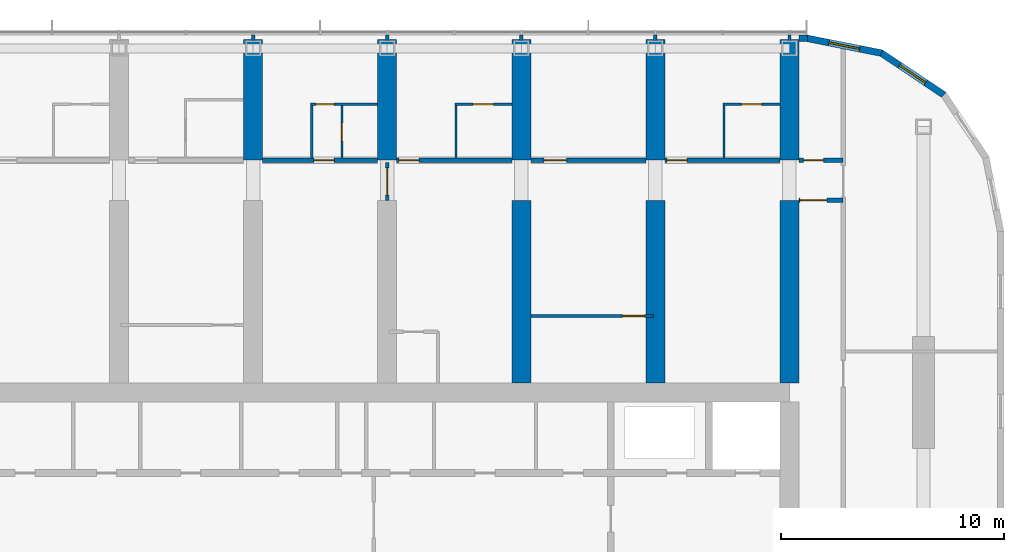
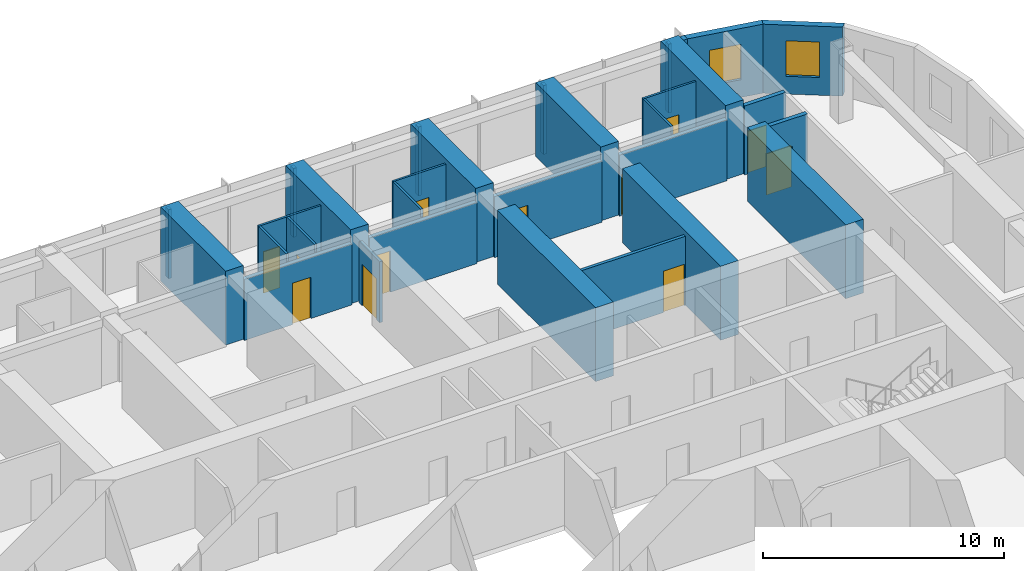
# One storey, part 16 of 22: 31 walls, 12 doors, 2 windows, 14 openings.
"""IFC4 building model written with IfcOpenShell, lengths in metres."""

from ifc_helpers import new_model, si_unit, direction, frame, frame_2d, origin, place, context, subcontext, project, spatial, polyline, rectangle, outline, extrude, material, layer, layer_set, type_object, element, fill, save


model = new_model("IFC4")

# Units and contexts
model_context = context("Model", 3, precision=1e-05, world=origin(), true_north=direction((0.0, 1.0)))
body_context = subcontext(model_context, "Body", "Model", "MODEL_VIEW")
ifc_project = project(units=[si_unit("LENGTHUNIT", "METRE"), si_unit("AREAUNIT", "SQUARE_METRE"), si_unit("VOLUMEUNIT", "CUBIC_METRE"), si_unit("PLANEANGLEUNIT", "RADIAN"), si_unit("MASSUNIT", "GRAM", prefix="KILO")], contexts=[model_context])

# Site, building, storey
site_placement = place(None, origin())
site = spatial("IfcSite", under=ifc_project, at=site_placement, CompositionType="ELEMENT")
building_placement = place(site_placement, origin())
building = spatial("IfcBuilding", under=site, at=building_placement, Name="Orbita Commons", CompositionType="ELEMENT")
storey_placement = place(building_placement, frame((0.0, 0.0, 152.35009765625)))
storey = spatial("IfcBuildingStorey", under=building, at=storey_placement, Name="L37", CompositionType="ELEMENT", Elevation=152.35009765625)

# Wall, opening, door
ifc_material_1 = material(Name="Concrete blockwork", Category="masonry")
ifc_layer_1 = layer(ifc_material_1, 0.199951171875)
ifc_layer_set_1 = layer_set([ifc_layer_1], Name="Concrete blockwork")
wall_type_1 = type_object("IfcWallType", Name="Corridor wall 200 blockwork", PredefinedType="SOLIDWALL", material=ifc_layer_set_1)
wall_1_placement = place(storey_placement, frame((42.425048828125, 48.60009765625, 0.0), z_axis=(0.0, 0.0, 1.0), x_axis=(1.0, 0.0, 0.0)))
wall_1 = element("IfcWall", 1, at=wall_1_placement, inside=storey, type_object=wall_type_1, Name="Corridor wall 200 blockwork L37", PredefinedType="SOLIDWALL", context=body_context, shape_type="SweptSolid", body=[
    extrude(outline(polyline([(0.0, 0.0), (5.14990234375, 0.0), (5.14990234375, 3.099853515625), (0.0, 3.099853515625), (0.0, 0.0)])), frame((0.0, 0.10009765625, 0.0), z_axis=(0.0, -1.0, 0.0), x_axis=(1.0, 0.0, 0.0)), (0.0, 0.0, 1.0), 0.199951171875),
])
opening_1_placement = place(wall_1_placement, frame((2.300048828125, 0.0, 0.0)))
opening_1 = element("IfcOpeningElement", 2, at=opening_1_placement, cuts=wall_1, Name="Opening D11", PredefinedType="OPENING", context=body_context, shape_type="SweptSolid", body=[
    extrude(rectangle(XDim=0.89990234375, YDim=2.10009765625, at=frame_2d((0.449951171875, 1.050048828125))), frame((0.0, 0.10986328125, 0.0), z_axis=(0.0, -1.0, 0.0), x_axis=(1.0, 0.0, 0.0)), (0.0, 0.0, 1.0), 0.219970703125),
])
ifc_material_2 = material(Name="Steel-faced fire door leaf", Category="steel")
door_type_1 = type_object("IfcDoorType", Name="Corridor door 20 min 900x2100", OperationType="SINGLE_SWING_LEFT", PredefinedType="DOOR", material=ifc_material_2)
door_1_placement = place(opening_1_placement, origin())
door_1 = element("IfcDoor", 3, at=door_1_placement, inside=storey, type_object=door_type_1, Name="Studio flat L37-N08 entrance door", OperationType="SINGLE_SWING_LEFT", OverallHeight=2.10009765625, OverallWidth=0.89990234375, PredefinedType="DOOR", context=body_context, shape_type="SweptSolid", body=[
    extrude(rectangle(XDim=0.89990234375, YDim=2.10009765625, at=frame_2d((0.449951171875, 1.050048828125))), frame((0.0, 0.02490234375, 0.0), z_axis=(0.0, -1.0, 0.0), x_axis=(1.0, 0.0, 0.0)), (0.0, 0.0, 1.0), 0.050048828125),
])
fill(opening_1, door_1)

wall_2_placement = place(storey_placement, frame((48.425048828125, 48.60009765625, 0.0), z_axis=(0.0, 0.0, 1.0), x_axis=(1.0, 0.0, 0.0)))
wall_2 = element("IfcWall", 4, at=wall_2_placement, inside=storey, type_object=wall_type_1, Name="Corridor wall 200 blockwork L37", PredefinedType="SOLIDWALL", context=body_context, shape_type="SweptSolid", body=[
    extrude(outline(polyline([(0.0, 0.0), (5.14990234375, 0.0), (5.14990234375, 3.099853515625), (0.0, 3.099853515625), (0.0, 0.0)])), frame((0.0, 0.10009765625, 0.0), z_axis=(0.0, -1.0, 0.0), x_axis=(1.0, 0.0, 0.0)), (0.0, 0.0, 1.0), 0.199951171875),
])
opening_2_placement = place(wall_2_placement, frame((0.10009765625, 0.0, 0.0)))
opening_2 = element("IfcOpeningElement", 5, at=opening_2_placement, cuts=wall_2, Name="Opening D11", PredefinedType="OPENING", context=body_context, shape_type="SweptSolid", body=[
    extrude(rectangle(XDim=0.89990234375, YDim=2.10009765625, at=frame_2d((0.449951171875, 1.050048828125))), frame((0.0, 0.10986328125, 0.0), z_axis=(0.0, -1.0, 0.0), x_axis=(1.0, 0.0, 0.0)), (0.0, 0.0, 1.0), 0.219970703125),
])
door_2_placement = place(opening_2_placement, origin())
door_2 = element("IfcDoor", 6, at=door_2_placement, inside=storey, type_object=door_type_1, Name="Twin room L37-N10 door", OperationType="SINGLE_SWING_LEFT", OverallHeight=2.10009765625, OverallWidth=0.89990234375, PredefinedType="DOOR", context=body_context, shape_type="SweptSolid", body=[
    extrude(rectangle(XDim=0.89990234375, YDim=2.10009765625, at=frame_2d((0.449951171875, 1.050048828125))), frame((0.0, 0.02490234375, 0.0), z_axis=(0.0, -1.0, 0.0), x_axis=(1.0, 0.0, 0.0)), (0.0, 0.0, 1.0), 0.050048828125),
])
fill(opening_2, door_2)

wall_3_placement = place(storey_placement, frame((54.425048828125, 48.60009765625, 0.0), z_axis=(0.0, 0.0, 1.0), x_axis=(1.0, 0.0, 0.0)))
wall_3 = element("IfcWall", 7, at=wall_3_placement, inside=storey, type_object=wall_type_1, Name="Corridor wall 200 blockwork L37", PredefinedType="SOLIDWALL", context=body_context, shape_type="SweptSolid", body=[
    extrude(outline(polyline([(0.0, 0.0), (5.14990234375, 0.0), (5.14990234375, 3.099853515625), (0.0, 3.099853515625), (0.0, 0.0)])), frame((0.0, 0.10009765625, 0.0), z_axis=(0.0, -1.0, 0.0), x_axis=(1.0, 0.0, 0.0)), (0.0, 0.0, 1.0), 0.199951171875),
])
opening_3_placement = place(wall_3_placement, frame((0.60009765625, 0.0, 0.0)))
opening_3 = element("IfcOpeningElement", 8, at=opening_3_placement, cuts=wall_3, Name="Opening D06", PredefinedType="OPENING", context=body_context, shape_type="SweptSolid", body=[
    extrude(rectangle(XDim=1.0, YDim=2.10009765625, at=frame_2d((0.5, 1.050048828125))), frame((0.0, 0.10986328125, 0.0), z_axis=(0.0, -1.0, 0.0), x_axis=(1.0, 0.0, 0.0)), (0.0, 0.0, 1.0), 0.219970703125),
])
ifc_material_3 = material(Name="Steel-faced fire door leaf", Category="steel")
door_type_2 = type_object("IfcDoorType", Name="Corridor door 20 min 1000x2100", OperationType="SINGLE_SWING_LEFT", PredefinedType="DOOR", material=ifc_material_3)
door_3_placement = place(opening_3_placement, origin())
door_3 = element("IfcDoor", 9, at=door_3_placement, inside=storey, type_object=door_type_2, Name="Cluster kitchen-diner L37-N12 door", OperationType="SINGLE_SWING_LEFT", OverallHeight=2.10009765625, OverallWidth=1.0, PredefinedType="DOOR", context=body_context, shape_type="SweptSolid", body=[
    extrude(rectangle(XDim=1.0, YDim=2.10009765625, at=frame_2d((0.5, 1.050048828125))), frame((0.0, 0.02490234375, 0.0), z_axis=(0.0, -1.0, 0.0), x_axis=(1.0, 0.0, 0.0)), (0.0, 0.0, 1.0), 0.050048828125),
])
fill(opening_3, door_3)

wall_4_placement = place(storey_placement, frame((60.425048828125, 48.60009765625, 0.0), z_axis=(0.0, 0.0, 1.0), x_axis=(1.0, 0.0, 0.0)))
wall_4 = element("IfcWall", 10, at=wall_4_placement, inside=storey, type_object=wall_type_1, Name="Corridor wall 200 blockwork L37", PredefinedType="SOLIDWALL", context=body_context, shape_type="SweptSolid", body=[
    extrude(outline(polyline([(0.0, 0.0), (5.14990234375, 0.0), (5.14990234375, 3.099853515625), (0.0, 3.099853515625), (0.0, 0.0)])), frame((0.0, 0.10009765625, 0.0), z_axis=(0.0, -1.0, 0.0), x_axis=(1.0, 0.0, 0.0)), (0.0, 0.0, 1.0), 0.199951171875),
])
opening_4_placement = place(wall_4_placement, frame((0.10009765625, 0.0, 0.0)))
opening_4 = element("IfcOpeningElement", 11, at=opening_4_placement, cuts=wall_4, Name="Opening D11", PredefinedType="OPENING", context=body_context, shape_type="SweptSolid", body=[
    extrude(rectangle(XDim=0.89990234375, YDim=2.10009765625, at=frame_2d((0.449951171875, 1.050048828125))), frame((0.0, 0.10986328125, 0.0), z_axis=(0.0, -1.0, 0.0), x_axis=(1.0, 0.0, 0.0)), (0.0, 0.0, 1.0), 0.219970703125),
])
door_4_placement = place(opening_4_placement, origin())
door_4 = element("IfcDoor", 12, at=door_4_placement, inside=storey, type_object=door_type_1, Name="Twin room L37-N14 door", OperationType="SINGLE_SWING_LEFT", OverallHeight=2.10009765625, OverallWidth=0.89990234375, PredefinedType="DOOR", context=body_context, shape_type="SweptSolid", body=[
    extrude(rectangle(XDim=0.89990234375, YDim=2.10009765625, at=frame_2d((0.449951171875, 1.050048828125))), frame((0.0, 0.02490234375, 0.0), z_axis=(0.0, -1.0, 0.0), x_axis=(1.0, 0.0, 0.0)), (0.0, 0.0, 1.0), 0.050048828125),
])
fill(opening_4, door_4)

wall_5_placement = place(storey_placement, frame((66.425048828125, 48.60009765625, 0.0), z_axis=(0.0, 0.0, 1.0), x_axis=(1.0, 0.0, 0.0)))
wall_5 = element("IfcWall", 13, at=wall_5_placement, inside=storey, type_object=wall_type_1, Name="Corridor wall 200 blockwork L37", PredefinedType="SOLIDWALL", context=body_context, shape_type="SweptSolid", body=[
    extrude(rectangle(XDim=1.974853515625, YDim=0.199951171875, at=frame_2d((0.9873046875, 0.0))), origin(), (0.0, 0.0, 1.0), 3.5),
])
opening_5_placement = place(wall_5_placement, frame((0.199951171875, 0.0, 0.0)))
opening_5 = element("IfcOpeningElement", 14, at=opening_5_placement, cuts=wall_5, Name="Opening D05", PredefinedType="OPENING", context=body_context, shape_type="SweptSolid", body=[
    extrude(rectangle(XDim=0.89990234375, YDim=2.10009765625, at=frame_2d((0.449951171875, 1.050048828125))), frame((0.0, 0.10986328125, 0.0), z_axis=(0.0, -1.0, 0.0), x_axis=(1.0, 0.0, 0.0)), (0.0, 0.0, 1.0), 0.219970703125),
])
ifc_material_4 = material(Name="Steel-faced fire door leaf", Category="steel")
door_type_3 = type_object("IfcDoorType", Name="Service door 20 min 900x2100", OperationType="SINGLE_SWING_LEFT", PredefinedType="DOOR", material=ifc_material_4)
door_5_placement = place(opening_5_placement, origin())
door_5 = element("IfcDoor", 15, at=door_5_placement, inside=storey, type_object=door_type_3, Name="Linen store L37-KEN door", OperationType="SINGLE_SWING_LEFT", OverallHeight=2.10009765625, OverallWidth=0.89990234375, PredefinedType="DOOR", context=body_context, shape_type="SweptSolid", body=[
    extrude(rectangle(XDim=0.89990234375, YDim=2.10009765625, at=frame_2d((0.449951171875, 1.050048828125))), frame((0.0, 0.02490234375, 0.0), z_axis=(0.0, -1.0, 0.0), x_axis=(1.0, 0.0, 0.0)), (0.0, 0.0, 1.0), 0.050048828125),
])
fill(opening_5, door_5)

ifc_material_5 = material(Name="Hollow concrete block 200", Category="concrete")
ifc_layer_2 = layer(ifc_material_5, 0.199951171875)
ifc_layer_set_2 = layer_set([ifc_layer_2], Name="Hollow concrete block 200")
wall_type_2 = type_object("IfcWallType", Name="Corridor wall 200 hollow concrete block", PredefinedType="SOLIDWALL", material=ifc_layer_set_2)
wall_6_placement = place(storey_placement, frame((66.425048828125, 46.800048828125, 0.0), z_axis=(0.0, 0.0, 1.0), x_axis=(1.0, 0.0, 0.0)))
wall_6 = element("IfcWall", 16, at=wall_6_placement, inside=storey, type_object=wall_type_2, Name="Corridor wall 200 hollow concrete block L37", PredefinedType="SOLIDWALL", context=body_context, shape_type="SweptSolid", body=[
    extrude(rectangle(XDim=1.974853515625, YDim=0.199951171875, at=frame_2d((0.9873046875, 0.0))), origin(), (0.0, 0.0, 1.0), 3.5),
])
opening_6_placement = place(wall_6_placement, frame((0.050048828125, 0.0, 0.0)))
opening_6 = element("IfcOpeningElement", 17, at=opening_6_placement, cuts=wall_6, Name="Opening D12", PredefinedType="OPENING", context=body_context, shape_type="SweptSolid", body=[
    extrude(rectangle(XDim=1.199951171875, YDim=2.10009765625, at=frame_2d((0.60009765625, 1.050048828125))), frame((0.0, 0.10986328125, 0.0), z_axis=(0.0, -1.0, 0.0), x_axis=(1.0, 0.0, 0.0)), (0.0, 0.0, 1.0), 0.219970703125),
])
ifc_material_6 = material(Name="Steel-faced fire door leaf", Category="steel")
door_type_4 = type_object("IfcDoorType", Name="Double corridor door 20 min 1200x2100", OperationType="DOUBLE_DOOR_SINGLE_SWING", PredefinedType="DOOR", material=ifc_material_6)
door_6_placement = place(opening_6_placement, origin())
door_6 = element("IfcDoor", 18, at=door_6_placement, inside=storey, type_object=door_type_4, Name="Cross corridor doors", OperationType="DOUBLE_DOOR_SINGLE_SWING", OverallHeight=2.10009765625, OverallWidth=1.199951171875, PredefinedType="DOOR", context=body_context, shape_type="SweptSolid", body=[
    extrude(rectangle(XDim=1.199951171875, YDim=2.10009765625, at=frame_2d((0.60009765625, 1.050048828125))), frame((0.0, 0.02490234375, 0.0), z_axis=(0.0, -1.0, 0.0), x_axis=(1.0, 0.0, 0.0)), (0.0, 0.0, 1.0), 0.050048828125),
])
fill(opening_6, door_6)

# Walls
ifc_material_7 = material(Name="Concrete C50/60", Category="concrete")
ifc_layer_3 = layer(ifc_material_7, 0.85009765625)
ifc_layer_set_3 = layer_set([ifc_layer_3], Name="Concrete C50/60")
wall_type_3 = type_object("IfcWallType", Name="Cross wall 850 C50/60", PredefinedType="SHEAR", material=ifc_layer_set_3)
for number, where, z_axis, x_axis, name in (
    (19, (42.0, 48.60009765625, 0.0), (0.0, 0.0, 1.0), (0.0, 1.0, 0.0), "Cross wall 8 north outer L37"),
    (20, (48.0, 48.60009765625, 0.0), (0.0, 0.0, 1.0), (0.0, 1.0, 0.0), "Cross wall 9 north outer L37"),
    (21, (54.0, 48.60009765625, 0.0), (0.0, 0.0, 1.0), (0.0, 1.0, 0.0), "Cross wall 10 north outer L37"),
):
    element("IfcWall", number, at=place(storey_placement, frame(where, z_axis=z_axis, x_axis=x_axis)), inside=storey, type_object=wall_type_3, Name=name, PredefinedType="SHEAR", context=body_context, shape_type="SweptSolid", body=[
        extrude(rectangle(XDim=5.39990234375, YDim=0.85009765625, at=frame_2d((2.699951171875, 0.0))), origin(), (0.0, 0.0, 1.0), 3.75),
    ])
wall_7_placement = place(storey_placement, frame((54.0, 38.625, 0.0), z_axis=(0.0, 0.0, 1.0), x_axis=(0.0, 1.0, 0.0)))
element("IfcWall", 22, at=wall_7_placement, inside=storey, type_object=wall_type_3, Name="Cross wall 10 north inner L37", PredefinedType="SHEAR", context=body_context, shape_type="SweptSolid", body=[
    extrude(rectangle(XDim=8.175048828125, YDim=0.85009765625, at=frame_2d((4.08740234375, 0.0))), origin(), (0.0, 0.0, 1.0), 3.75),
])
wall_8_placement = place(storey_placement, frame((60.0, 48.60009765625, 0.0), z_axis=(0.0, 0.0, 1.0), x_axis=(0.0, 1.0, 0.0)))
element("IfcWall", 23, at=wall_8_placement, inside=storey, type_object=wall_type_3, Name="Cross wall 11 north outer L37", PredefinedType="SHEAR", context=body_context, shape_type="SweptSolid", body=[
    extrude(rectangle(XDim=5.39990234375, YDim=0.85009765625, at=frame_2d((2.699951171875, 0.0))), origin(), (0.0, 0.0, 1.0), 3.75),
])
wall_9_placement = place(storey_placement, frame((60.0, 38.625, 0.0), z_axis=(0.0, 0.0, 1.0), x_axis=(0.0, 1.0, 0.0)))
element("IfcWall", 24, at=wall_9_placement, inside=storey, type_object=wall_type_3, Name="Cross wall 11 north inner L37", PredefinedType="SHEAR", context=body_context, shape_type="SweptSolid", body=[
    extrude(rectangle(XDim=8.175048828125, YDim=0.85009765625, at=frame_2d((4.08740234375, 0.0))), origin(), (0.0, 0.0, 1.0), 3.75),
])
wall_10_placement = place(storey_placement, frame((66.0, 48.60009765625, 0.0), z_axis=(0.0, 0.0, 1.0), x_axis=(0.0, 1.0, 0.0)))
element("IfcWall", 25, at=wall_10_placement, inside=storey, type_object=wall_type_3, Name="Cross wall 12 north outer L37", PredefinedType="SHEAR", context=body_context, shape_type="SweptSolid", body=[
    extrude(rectangle(XDim=5.39990234375, YDim=0.85009765625, at=frame_2d((2.699951171875, 0.0))), origin(), (0.0, 0.0, 1.0), 3.75),
])
wall_11_placement = place(storey_placement, frame((66.0, 38.625, 0.0), z_axis=(0.0, 0.0, 1.0), x_axis=(0.0, 1.0, 0.0)))
element("IfcWall", 26, at=wall_11_placement, inside=storey, type_object=wall_type_3, Name="Cross wall 12 north inner L37", PredefinedType="SHEAR", context=body_context, shape_type="SweptSolid", body=[
    extrude(rectangle(XDim=8.175048828125, YDim=0.85009765625, at=frame_2d((4.08740234375, 0.0))), origin(), (0.0, 0.0, 1.0), 3.75),
])

# Wall, opening, door
ifc_material_8 = material(Name="Moisture-resistant plasterboard on steel studs", Category="steel")
ifc_layer_4 = layer(ifc_material_8, 0.10009765625)
ifc_layer_set_4 = layer_set([ifc_layer_4], Name="Moisture-resistant plasterboard on steel studs")
wall_type_4 = type_object("IfcWallType", Name="En-suite partition 100", PredefinedType="PARTITIONING", material=ifc_layer_set_4)
wall_12_placement = place(storey_placement, frame((44.574951171875, 51.10009765625, 0.0), z_axis=(0.0, 0.0, 1.0), x_axis=(1.0, 0.0, 0.0)))
wall_12 = element("IfcWall", 27, at=wall_12_placement, inside=storey, type_object=wall_type_4, Name="En-suite partition 100 L37", PredefinedType="PARTITIONING", context=body_context, shape_type="SweptSolid", body=[
    extrude(rectangle(XDim=3.0, YDim=0.10009765625, at=frame_2d((1.5, 0.0))), origin(), (0.0, 0.0, 1.0), 3.5),
])
opening_7_placement = place(wall_12_placement, frame((0.25, 0.0, 0.0)))
opening_7 = element("IfcOpeningElement", 28, at=opening_7_placement, cuts=wall_12, Name="Opening D16", PredefinedType="OPENING", context=body_context, shape_type="SweptSolid", body=[
    extrude(rectangle(XDim=0.800048828125, YDim=2.10009765625, at=frame_2d((0.39990234375, 1.050048828125))), frame((0.0, 0.06005859375, 0.0), z_axis=(0.0, -1.0, 0.0), x_axis=(1.0, 0.0, 0.0)), (0.0, 0.0, 1.0), 0.1201171875),
])
ifc_material_9 = material(Name="Laminated timber door leaf", Category="wood")
door_type_5 = type_object("IfcDoorType", Name="En-suite door 800x2100", OperationType="SINGLE_SWING_RIGHT", PredefinedType="DOOR", material=ifc_material_9)
door_7_placement = place(opening_7_placement, origin())
door_7 = element("IfcDoor", 29, at=door_7_placement, inside=storey, type_object=door_type_5, Name="Studio flat L37-N08 door", OperationType="SINGLE_SWING_RIGHT", OverallHeight=2.10009765625, OverallWidth=0.800048828125, PredefinedType="DOOR", context=body_context, shape_type="SweptSolid", body=[
    extrude(rectangle(XDim=0.800048828125, YDim=2.10009765625, at=frame_2d((0.39990234375, 1.050048828125))), frame((0.0, 0.02490234375, 0.0), z_axis=(0.0, -1.0, 0.0), x_axis=(1.0, 0.0, 0.0)), (0.0, 0.0, 1.0), 0.050048828125),
])
fill(opening_7, door_7)

# Wall
wall_13_placement = place(storey_placement, frame((44.625, 51.050048828125, 0.0), z_axis=(0.0, 0.0, 1.0), x_axis=(0.0, -1.0, 0.0)))
element("IfcWall", 30, at=wall_13_placement, inside=storey, type_object=wall_type_4, Name="En-suite partition 100 L37", PredefinedType="PARTITIONING", context=body_context, shape_type="SweptSolid", body=[
    extrude(outline(polyline([(0.0, 0.0), (2.35009765625, 0.0), (2.35009765625, 3.099853515625), (2.302001953125, 3.099853515625), (2.300048828125, 3.5), (0.0, 3.5), (0.0, 0.0)])), frame((0.0, 0.050048828125, 0.0), z_axis=(0.0, -1.0, 0.0), x_axis=(1.0, 0.0, 0.0)), (0.0, 0.0, 1.0), 0.10009765625),
])

# Wall, opening, door
wall_14_placement = place(storey_placement, frame((45.97509765625, 51.050048828125, 0.0), z_axis=(0.0, 0.0, 1.0), x_axis=(0.0, -1.0, 0.0)))
wall_14 = element("IfcWall", 31, at=wall_14_placement, inside=storey, type_object=wall_type_4, Name="En-suite partition 100 L37", PredefinedType="PARTITIONING", context=body_context, shape_type="SweptSolid", body=[
    extrude(outline(polyline([(0.0, 0.0), (2.35009765625, 0.0), (2.35009765625, 3.099853515625), (2.302001953125, 3.099853515625), (2.300048828125, 3.5), (0.0, 3.5), (0.0, 0.0)])), frame((0.0, 0.050048828125, 0.0), z_axis=(0.0, -1.0, 0.0), x_axis=(1.0, 0.0, 0.0)), (0.0, 0.0, 1.0), 0.10009765625),
])
opening_8_placement = place(wall_14_placement, frame((0.800048828125, 0.0, 0.0)))
opening_8 = element("IfcOpeningElement", 32, at=opening_8_placement, cuts=wall_14, Name="Opening D16", PredefinedType="OPENING", context=body_context, shape_type="SweptSolid", body=[
    extrude(rectangle(XDim=0.800048828125, YDim=2.10009765625, at=frame_2d((0.39990234375, 1.050048828125))), frame((0.0, 0.06005859375, 0.0), z_axis=(0.0, -1.0, 0.0), x_axis=(1.0, 0.0, 0.0)), (0.0, 0.0, 1.0), 0.1201171875),
])
door_8_placement = place(opening_8_placement, origin())
door_8 = element("IfcDoor", 33, at=door_8_placement, inside=storey, type_object=door_type_5, Name="Studio flat shower room L37-N08 door", OperationType="SINGLE_SWING_RIGHT", OverallHeight=2.10009765625, OverallWidth=0.800048828125, PredefinedType="DOOR", context=body_context, shape_type="SweptSolid", body=[
    extrude(rectangle(XDim=0.800048828125, YDim=2.10009765625, at=frame_2d((0.39990234375, 1.050048828125))), frame((0.0, 0.02490234375, 0.0), z_axis=(0.0, -1.0, 0.0), x_axis=(1.0, 0.0, 0.0)), (0.0, 0.0, 1.0), 0.050048828125),
])
fill(opening_8, door_8)

wall_15_placement = place(storey_placement, frame((51.02490234375, 51.10009765625, 0.0), z_axis=(0.0, 0.0, 1.0), x_axis=(1.0, 0.0, 0.0)))
wall_15 = element("IfcWall", 34, at=wall_15_placement, inside=storey, type_object=wall_type_4, Name="En-suite partition 100 L37", PredefinedType="PARTITIONING", context=body_context, shape_type="SweptSolid", body=[
    extrude(rectangle(XDim=2.550048828125, YDim=0.10009765625, at=frame_2d((1.27490234375, 0.0))), origin(), (0.0, 0.0, 1.0), 3.5),
])
opening_9_placement = place(wall_15_placement, frame((0.824951171875, 0.0, 0.0)))
opening_9 = element("IfcOpeningElement", 35, at=opening_9_placement, cuts=wall_15, Name="Opening D09", PredefinedType="OPENING", context=body_context, shape_type="SweptSolid", body=[
    extrude(rectangle(XDim=0.89990234375, YDim=2.10009765625, at=frame_2d((0.449951171875, 1.050048828125))), frame((0.0, 0.06005859375, 0.0), z_axis=(0.0, -1.0, 0.0), x_axis=(1.0, 0.0, 0.0)), (0.0, 0.0, 1.0), 0.1201171875),
])
ifc_material_10 = material(Name="Laminated timber door leaf", Category="wood")
door_type_6 = type_object("IfcDoorType", Name="En-suite door 900x2100", OperationType="SINGLE_SWING_RIGHT", PredefinedType="DOOR", material=ifc_material_10)
door_9_placement = place(opening_9_placement, origin())
door_9 = element("IfcDoor", 36, at=door_9_placement, inside=storey, type_object=door_type_6, Name="En-suite L37-N10 door", OperationType="SINGLE_SWING_RIGHT", OverallHeight=2.10009765625, OverallWidth=0.89990234375, PredefinedType="DOOR", context=body_context, shape_type="SweptSolid", body=[
    extrude(rectangle(XDim=0.89990234375, YDim=2.10009765625, at=frame_2d((0.449951171875, 1.050048828125))), frame((0.0, 0.02490234375, 0.0), z_axis=(0.0, -1.0, 0.0), x_axis=(1.0, 0.0, 0.0)), (0.0, 0.0, 1.0), 0.050048828125),
])
fill(opening_9, door_9)

# Wall
wall_16_placement = place(storey_placement, frame((51.074951171875, 51.050048828125, 0.0), z_axis=(0.0, 0.0, 1.0), x_axis=(0.0, -1.0, 0.0)))
element("IfcWall", 37, at=wall_16_placement, inside=storey, type_object=wall_type_4, Name="En-suite partition 100 L37", PredefinedType="PARTITIONING", context=body_context, shape_type="SweptSolid", body=[
    extrude(outline(polyline([(0.0, 0.0), (2.35009765625, 0.0), (2.35009765625, 3.099853515625), (2.302001953125, 3.099853515625), (2.300048828125, 3.5), (0.0, 3.5), (0.0, 0.0)])), frame((0.0, 0.050048828125, 0.0), z_axis=(0.0, -1.0, 0.0), x_axis=(1.0, 0.0, 0.0)), (0.0, 0.0, 1.0), 0.10009765625),
])

# Wall, opening, door
wall_17_placement = place(storey_placement, frame((63.02490234375, 51.10009765625, 0.0), z_axis=(0.0, 0.0, 1.0), x_axis=(1.0, 0.0, 0.0)))
wall_17 = element("IfcWall", 38, at=wall_17_placement, inside=storey, type_object=wall_type_4, Name="En-suite partition 100 L37", PredefinedType="PARTITIONING", context=body_context, shape_type="SweptSolid", body=[
    extrude(rectangle(XDim=2.550048828125, YDim=0.10009765625, at=frame_2d((1.27490234375, 0.0))), origin(), (0.0, 0.0, 1.0), 3.5),
])
opening_10_placement = place(wall_17_placement, frame((0.824951171875, 0.0, 0.0)))
opening_10 = element("IfcOpeningElement", 39, at=opening_10_placement, cuts=wall_17, Name="Opening D09", PredefinedType="OPENING", context=body_context, shape_type="SweptSolid", body=[
    extrude(rectangle(XDim=0.89990234375, YDim=2.10009765625, at=frame_2d((0.449951171875, 1.050048828125))), frame((0.0, 0.06005859375, 0.0), z_axis=(0.0, -1.0, 0.0), x_axis=(1.0, 0.0, 0.0)), (0.0, 0.0, 1.0), 0.1201171875),
])
door_10_placement = place(opening_10_placement, origin())
door_10 = element("IfcDoor", 40, at=door_10_placement, inside=storey, type_object=door_type_6, Name="En-suite L37-N14 door", OperationType="SINGLE_SWING_RIGHT", OverallHeight=2.10009765625, OverallWidth=0.89990234375, PredefinedType="DOOR", context=body_context, shape_type="SweptSolid", body=[
    extrude(rectangle(XDim=0.89990234375, YDim=2.10009765625, at=frame_2d((0.449951171875, 1.050048828125))), frame((0.0, 0.02490234375, 0.0), z_axis=(0.0, -1.0, 0.0), x_axis=(1.0, 0.0, 0.0)), (0.0, 0.0, 1.0), 0.050048828125),
])
fill(opening_10, door_10)

# Wall
wall_18_placement = place(storey_placement, frame((63.074951171875, 51.050048828125, 0.0), z_axis=(0.0, 0.0, 1.0), x_axis=(0.0, -1.0, 0.0)))
element("IfcWall", 41, at=wall_18_placement, inside=storey, type_object=wall_type_4, Name="En-suite partition 100 L37", PredefinedType="PARTITIONING", context=body_context, shape_type="SweptSolid", body=[
    extrude(outline(polyline([(0.0, 0.0), (2.35009765625, 0.0), (2.35009765625, 3.099853515625), (2.302001953125, 3.099853515625), (2.300048828125, 3.5), (0.0, 3.5), (0.0, 0.0)])), frame((0.0, 0.050048828125, 0.0), z_axis=(0.0, -1.0, 0.0), x_axis=(1.0, 0.0, 0.0)), (0.0, 0.0, 1.0), 0.10009765625),
])

# Wall, opening, door
ifc_material_11 = material(Name="Gypsum plasterboard on steel studs", Category="steel")
ifc_layer_5 = layer(ifc_material_11, 0.14990234375)
ifc_layer_set_5 = layer_set([ifc_layer_5], Name="Gypsum plasterboard on steel studs")
wall_type_5 = type_object("IfcWallType", Name="Partition 150 plasterboard", PredefinedType="PARTITIONING", material=ifc_layer_set_5)
wall_19_placement = place(storey_placement, frame((59.925048828125, 41.625, 0.0), z_axis=(0.0, 0.0, 1.0), x_axis=(-1.0, 0.0, 0.0)))
wall_19 = element("IfcWall", 42, at=wall_19_placement, inside=storey, type_object=wall_type_5, Name="Partition 150 plasterboard L37", PredefinedType="PARTITIONING", context=body_context, shape_type="SweptSolid", body=[
    extrude(rectangle(XDim=5.5, YDim=0.14990234375, at=frame_2d((2.75, 0.0))), origin(), (0.0, 0.0, 1.0), 3.5),
])
opening_11_placement = place(wall_19_placement, frame((0.39990234375, 0.0, 0.0)))
opening_11 = element("IfcOpeningElement", 43, at=opening_11_placement, cuts=wall_19, Name="Opening D18", PredefinedType="OPENING", context=body_context, shape_type="SweptSolid", body=[
    extrude(rectangle(XDim=1.0, YDim=2.10009765625, at=frame_2d((0.5, 1.050048828125))), frame((0.0, 0.0849609375, 0.0), z_axis=(0.0, -1.0, 0.0), x_axis=(1.0, 0.0, 0.0)), (0.0, 0.0, 1.0), 0.169921875),
])
ifc_material_12 = material(Name="Steel-faced fire door leaf", Category="steel")
door_type_7 = type_object("IfcDoorType", Name="Service door 20 min 1000x2100", OperationType="SINGLE_SWING_LEFT", PredefinedType="DOOR", material=ifc_material_12)
door_11_placement = place(opening_11_placement, origin())
door_11 = element("IfcDoor", 44, at=door_11_placement, inside=storey, type_object=door_type_7, Name="Bulk and luggage store L37-BDN54 door", OperationType="SINGLE_SWING_LEFT", OverallHeight=2.10009765625, OverallWidth=1.0, PredefinedType="DOOR", context=body_context, shape_type="SweptSolid", body=[
    extrude(rectangle(XDim=1.0, YDim=2.10009765625, at=frame_2d((0.5, 1.050048828125))), frame((0.0, 0.02490234375, 0.0), z_axis=(0.0, -1.0, 0.0), x_axis=(1.0, 0.0, 0.0)), (0.0, 0.0, 1.0), 0.050048828125),
])
fill(opening_11, door_11)

wall_20_placement = place(storey_placement, frame((48.0, 46.800048828125, 0.0), z_axis=(0.0, 0.0, 1.0), x_axis=(0.0, 1.0, 0.0)))
wall_20 = element("IfcWall", 45, at=wall_20_placement, inside=storey, type_object=wall_type_5, Name="Partition 150 plasterboard L37", PredefinedType="PARTITIONING", context=body_context, shape_type="SweptSolid", body=[
    extrude(outline(polyline([(0.0, 0.0), (1.699951171875, 0.0), (1.699951171875, 3.099853515625), (0.0, 3.099853515625), (0.0, 0.0)])), frame((0.0, 0.074951171875, 0.0), z_axis=(0.0, -1.0, 0.0), x_axis=(1.0, 0.0, 0.0)), (0.0, 0.0, 1.0), 0.14990234375),
])
opening_12_placement = place(wall_20_placement, frame((0.25, 0.0, 0.0)))
opening_12 = element("IfcOpeningElement", 46, at=opening_12_placement, cuts=wall_20, Name="Opening D12", PredefinedType="OPENING", context=body_context, shape_type="SweptSolid", body=[
    extrude(rectangle(XDim=1.199951171875, YDim=2.10009765625, at=frame_2d((0.60009765625, 1.050048828125))), frame((0.0, 0.0849609375, 0.0), z_axis=(0.0, -1.0, 0.0), x_axis=(1.0, 0.0, 0.0)), (0.0, 0.0, 1.0), 0.169921875),
])
door_12_placement = place(opening_12_placement, origin())
door_12 = element("IfcDoor", 47, at=door_12_placement, inside=storey, type_object=door_type_4, Name="Social spine north screen doors", OperationType="DOUBLE_DOOR_SINGLE_SWING", OverallHeight=2.10009765625, OverallWidth=1.199951171875, PredefinedType="DOOR", context=body_context, shape_type="SweptSolid", body=[
    extrude(rectangle(XDim=1.199951171875, YDim=2.10009765625, at=frame_2d((0.60009765625, 1.050048828125))), frame((0.0, 0.02490234375, 0.0), z_axis=(0.0, -1.0, 0.0), x_axis=(1.0, 0.0, 0.0)), (0.0, 0.0, 1.0), 0.050048828125),
])
fill(opening_12, door_12)

# Walls
for number, where, z_axis, x_axis, name in (
    (48, (42.0, 53.949951171875, 0.0), (0.0, 0.0, 1.0), (0.0, 1.0, 0.0), "Partition 150 plasterboard L37"),
    (49, (48.0, 53.949951171875, 0.0), (0.0, 0.0, 1.0), (0.0, 1.0, 0.0), "Partition 150 plasterboard L37"),
    (50, (54.0, 53.949951171875, 0.0), (0.0, 0.0, 1.0), (0.0, 1.0, 0.0), "Partition 150 plasterboard L37"),
    (51, (60.0, 53.949951171875, 0.0), (0.0, 0.0, 1.0), (0.0, 1.0, 0.0), "Partition 150 plasterboard L37"),
    (52, (66.0, 53.949951171875, 0.0), (0.0, 0.0, 1.0), (0.0, 1.0, 0.0), "Partition 150 plasterboard L37"),
):
    element("IfcWall", number, at=place(storey_placement, frame(where, z_axis=z_axis, x_axis=x_axis)), inside=storey, type_object=wall_type_5, Name=name, PredefinedType="PARTITIONING", context=body_context, shape_type="SweptSolid", body=[
        extrude(rectangle(XDim=0.239990234375, YDim=0.14990234375, at=frame_2d((0.1201171875, 0.0))), origin(), (0.0, 0.0, 1.0), 3.5),
    ])

# Wall, opening, window
ifc_material_13 = material(Name="Precast concrete C40/50, white board-marked finish", Category="concrete")
ifc_layer_6 = layer(ifc_material_13, 0.300048828125)
ifc_layer_set_6 = layer_set([ifc_layer_6], Name="Precast concrete C40/50, white board-marked finish")
wall_type_6 = type_object("IfcWallType", Name="Precast concrete end shield 300", PredefinedType="SOLIDWALL", material=ifc_layer_set_6)
wall_21_placement = place(storey_placement, frame((72.91650390625, 51.5166015625, 0.0), z_axis=(0.0, 0.0, 1.0), x_axis=(-0.831493450887, 0.555534554399, 0.0)))
wall_21 = element("IfcWall", 53, at=wall_21_placement, inside=storey, type_object=wall_type_6, Name="End shield NE chord 3 L37", PredefinedType="SOLIDWALL", context=body_context, shape_type="SweptSolid", body=[
    extrude(outline(polyline([(-0.02978515625, -0.14990234375), (3.405029296875, -0.14990234375), (3.345458984375, 0.14990234375), (0.02978515625, 0.14990234375), (-0.02978515625, -0.14990234375)])), origin(), (0.0, 0.0, 1.0), 3.5),
])
opening_13_placement = place(wall_21_placement, frame((0.987548828125, 0.0, 0.89990234375)))
opening_13 = element("IfcOpeningElement", 54, at=opening_13_placement, cuts=wall_21, Name="Opening W02", PredefinedType="OPENING", context=body_context, shape_type="SweptSolid", body=[
    extrude(rectangle(XDim=1.39990234375, YDim=1.800048828125, at=frame_2d((0.699951171875, 0.89990234375))), frame((0.0, 0.159912109375, 0.0), z_axis=(0.0, -1.0, 0.0), x_axis=(1.0, 0.0, 0.0)), (0.0, 0.0, 1.0), 0.320068359375),
])
ifc_material_14 = material(Name="Aluminium frame, clear double glazing", Category="aluminium")
window_type = type_object("IfcWindowType", Name="Deep-set window 1400x1800", PartitioningType="SINGLE_PANEL", PredefinedType="WINDOW", material=ifc_material_14)
window_1_placement = place(opening_13_placement, origin())
window_1 = element("IfcWindow", 55, at=window_1_placement, inside=storey, type_object=window_type, Name="Window L37-NE2", OverallHeight=1.800048828125, OverallWidth=1.39990234375, PartitioningType="SINGLE_PANEL", PredefinedType="WINDOW", context=body_context, shape_type="SweptSolid", body=[
    extrude(rectangle(XDim=1.39990234375, YDim=1.800048828125, at=frame_2d((0.699951171875, 0.89990234375))), frame((0.0, 0.030029296875, 0.0), z_axis=(0.0, -1.0, 0.0), x_axis=(1.0, 0.0, 0.0)), (0.0, 0.0, 1.0), 0.06005859375),
])
fill(opening_13, window_1)

wall_22_placement = place(storey_placement, frame((70.110107421875, 53.3916015625, 0.0), z_axis=(0.0, 0.0, 1.0), x_axis=(-0.98078325777, 0.195100490205, 0.0)))
wall_22 = element("IfcWall", 56, at=wall_22_placement, inside=storey, type_object=wall_type_6, Name="End shield NE chord 4 L37", PredefinedType="SOLIDWALL", context=body_context, shape_type="SweptSolid", body=[
    extrude(outline(polyline([(-0.02978515625, -0.14990234375), (3.40478515625, -0.14990234375), (3.34521484375, 0.14990234375), (0.02978515625, 0.14990234375), (-0.02978515625, -0.14990234375)])), origin(), (0.0, 0.0, 1.0), 3.5),
])
opening_14_placement = place(wall_22_placement, frame((0.987548828125, 0.0, 0.89990234375)))
opening_14 = element("IfcOpeningElement", 57, at=opening_14_placement, cuts=wall_22, Name="Opening W02", PredefinedType="OPENING", context=body_context, shape_type="SweptSolid", body=[
    extrude(rectangle(XDim=1.39990234375, YDim=1.800048828125, at=frame_2d((0.699951171875, 0.89990234375))), frame((0.0, 0.159912109375, 0.0), z_axis=(0.0, -1.0, 0.0), x_axis=(1.0, 0.0, 0.0)), (0.0, 0.0, 1.0), 0.320068359375),
])
window_2_placement = place(opening_14_placement, origin())
window_2 = element("IfcWindow", 58, at=window_2_placement, inside=storey, type_object=window_type, Name="Window L37-NE3", OverallHeight=1.800048828125, OverallWidth=1.39990234375, PartitioningType="SINGLE_PANEL", PredefinedType="WINDOW", context=body_context, shape_type="SweptSolid", body=[
    extrude(rectangle(XDim=1.39990234375, YDim=1.800048828125, at=frame_2d((0.699951171875, 0.89990234375))), frame((0.0, 0.030029296875, 0.0), z_axis=(0.0, -1.0, 0.0), x_axis=(1.0, 0.0, 0.0)), (0.0, 0.0, 1.0), 0.06005859375),
])
fill(opening_14, window_2)

# Wall
wall_23_placement = place(storey_placement, frame((66.800048828125, 54.050048828125, 0.0), z_axis=(0.0, 0.0, 1.0), x_axis=(-1.0, 0.0, 0.0)))
element("IfcWall", 59, at=wall_23_placement, inside=storey, type_object=wall_type_6, Name="End shield NE closer L37", PredefinedType="SOLIDWALL", context=body_context, shape_type="SweptSolid", body=[
    extrude(rectangle(XDim=0.375, YDim=0.300048828125, at=frame_2d((0.1875, 0.0))), origin(), (0.0, 0.0, 1.0), 3.5),
])

save(model, "model.ifc")
